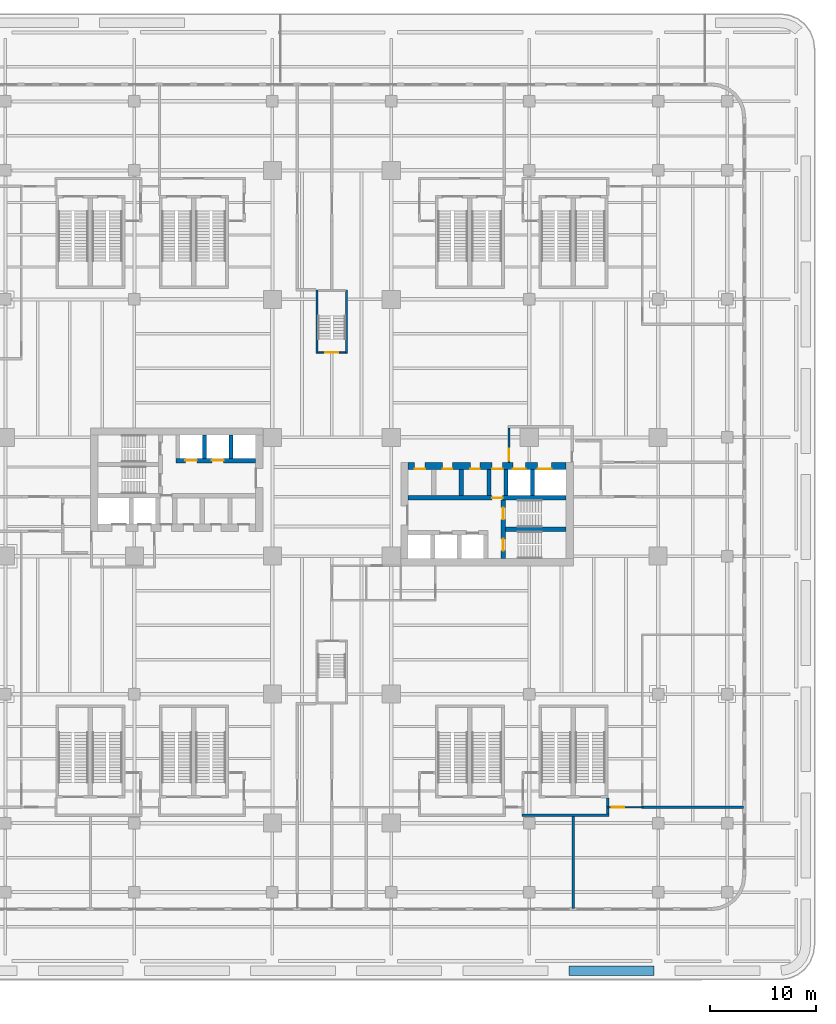
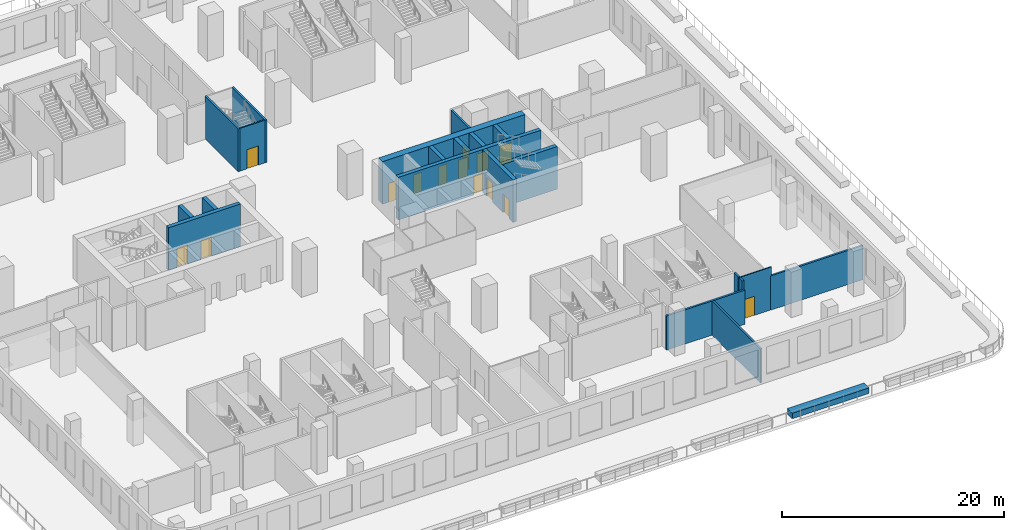
# One storey, part 10 of 18: 22 walls, 14 doors, 14 openings.
"""IFC4 building model written with IfcOpenShell, lengths in metres."""

from ifc_helpers import new_model, si_unit, direction, frame, frame_2d, origin, place, context, subcontext, project, spatial, polyline, rectangle, outline, extrude, source, transform, mapped, material, layer, layer_set, type_object, element, fill, save


model = new_model("IFC4")

# Units and contexts
model_context = context("Model", 3, precision=1e-05, world=origin(), true_north=direction((0.0, 1.0)))
body_context = subcontext(model_context, "Body", "Model", "MODEL_VIEW")
ifc_project = project(units=[si_unit("LENGTHUNIT", "METRE"), si_unit("AREAUNIT", "SQUARE_METRE"), si_unit("VOLUMEUNIT", "CUBIC_METRE"), si_unit("PLANEANGLEUNIT", "RADIAN"), si_unit("MASSUNIT", "GRAM", prefix="KILO")], contexts=[model_context])

# Site, building, storey
site_placement = place(None, origin())
site = spatial("IfcSite", under=ifc_project, at=site_placement, CompositionType="ELEMENT")
building_placement = place(site_placement, origin())
building = spatial("IfcBuilding", under=site, at=building_placement, Name="Trellis Farm Tower", CompositionType="ELEMENT")
storey_placement = place(building_placement, frame((0.0, 0.0, 14.0)))
storey = spatial("IfcBuildingStorey", under=building, at=storey_placement, Name="L02", CompositionType="ELEMENT", Elevation=14.0)

# Walls
ifc_material_1 = material(Name="Sandstone faced masonry planter", Category="masonry")
ifc_layer_1 = layer(ifc_material_1, 0.89990234375)
ifc_layer_set_1 = layer_set([ifc_layer_1], Name="TERRACE PLANTER BED 900")
wall_type_1 = type_object("IfcWallType", Name="TERRACE PLANTER BED 900", PredefinedType="USERDEFINED", material=ifc_layer_set_1)
wall_1_placement = place(storey_placement, origin())
element("IfcWall", 1, at=wall_1_placement, inside=storey, type_object=wall_type_1, Name="PLANTER bed", ObjectType="PLANTER", PredefinedType="USERDEFINED", context=body_context, shape_type="SweptSolid", body=[
    extrude(outline(polyline([(22.347412109375, -44.199951171875), (30.347412109375, -44.199951171875), (30.347412109375, -45.10009765625), (22.347412109375, -45.10009765625), (22.347412109375, -44.199951171875)])), origin(), (0.0, 0.0, 1.0), 0.60009765625),
])
ifc_material_2 = material(Name="Concrete C80/95", Category="concrete")
ifc_layer_2 = layer(ifc_material_2, 0.39990234375)
ifc_layer_set_2 = layer_set([ifc_layer_2], Name="CORE INNER WALL 400 CONCRETE C80/95")
wall_type_2 = type_object("IfcWallType", Name="CORE INNER WALL 400 CONCRETE C80/95", PredefinedType="SHEAR", material=ifc_layer_set_2)
shared_shape_1 = source(origin(), body_context, "Body", "SweptSolid", [
    extrude(rectangle(XDim=2.199951171875, YDim=0.39990234375, at=frame_2d((1.10009765625, 0.0))), origin(), (0.0, 0.0, 1.0), 4.699951171875),
])
for number, where, z_axis, x_axis, name in (
    (2, (-9.5, 5.800048828125, 0.0), (0.0, 0.0, 1.0), (0.0, -1.0, 0.0), "Core wall"),
    (3, (-12.0, 5.800048828125, 0.0), (0.0, 0.0, 1.0), (0.0, -1.0, 0.0), "Core wall"),
):
    element("IfcWall", number, at=place(storey_placement, frame(where, z_axis=z_axis, x_axis=x_axis)), inside=storey, type_object=wall_type_2, Name=name, PredefinedType="SHEAR", context=body_context, shape_type="MappedRepresentation", body=[
        mapped(shared_shape_1, transform((0.0, 0.0, 0.0))),
    ])
shared_shape_2 = source(origin(), body_context, "Body", "SweptSolid", [
    extrude(rectangle(XDim=2.449951171875, YDim=0.39990234375, at=frame_2d((1.22509765625, 0.0))), origin(), (0.0, 0.0, 1.0), 4.699951171875),
])
for number, where, z_axis, x_axis, name in (
    (4, (12.199951171875, 0.10009765625, 0.0), (0.0, 0.0, 1.0), (0.0, 1.0, 0.0), "Core wall"),
    (5, (14.800048828125, 0.10009765625, 0.0), (0.0, 0.0, 1.0), (0.0, 1.0, 0.0), "Core wall"),
    (6, (16.39990234375, 0.10009765625, 0.0), (0.0, 0.0, 1.0), (0.0, 1.0, 0.0), "Core wall"),
    (7, (18.89990234375, 0.10009765625, 0.0), (0.0, 0.0, 1.0), (0.0, 1.0, 0.0), "Core wall"),
):
    element("IfcWall", number, at=place(storey_placement, frame(where, z_axis=z_axis, x_axis=x_axis)), inside=storey, type_object=wall_type_2, Name=name, PredefinedType="SHEAR", context=body_context, shape_type="MappedRepresentation", body=[
        mapped(shared_shape_2, transform((0.0, 0.0, 0.0))),
    ])

# Wall, opening, door
ifc_material_3 = material(Name="Masonry blockwork", Category="masonry")
ifc_layer_3 = layer(ifc_material_3, 0.199951171875)
ifc_layer_set_3 = layer_set([ifc_layer_3], Name="FIRE LOBBY PARTITION 200 BLOCKWORK")
wall_type_3 = type_object("IfcWallType", Name="FIRE LOBBY PARTITION 200 BLOCKWORK", PredefinedType="PARTITIONING", material=ifc_layer_set_3)
shared_shape_3 = source(origin(), body_context, "Body", "SweptSolid", [
    extrude(rectangle(XDim=3.25, YDim=0.199951171875, at=frame_2d((1.625, 0.0))), origin(), (0.0, 0.0, 1.0), 4.699951171875),
])
wall_2_placement = place(storey_placement, frame((16.699951171875, 3.25, 0.0), z_axis=(0.0, 0.0, 1.0), x_axis=(0.0, 1.0, 0.0)))
wall_2 = element("IfcWall", 8, at=wall_2_placement, inside=storey, type_object=wall_type_3, Name="Fire-fighting lobby partition", PredefinedType="PARTITIONING", context=body_context, shape_type="MappedRepresentation", body=[
    mapped(shared_shape_3, transform((0.0, 0.0, 0.0))),
])
shared_shape_4 = source(origin(), body_context, "Body", "SweptSolid", [
    extrude(rectangle(XDim=1.10009765625, YDim=2.10009765625, at=frame_2d((0.550048828125, 1.050048828125))), frame((0.0, 0.110107421875, 0.0), z_axis=(0.0, -1.0, 0.0), x_axis=(1.0, 0.0, 0.0)), (0.0, 0.0, 1.0), 0.22021484375),
])
opening_1_placement = place(wall_2_placement, frame((0.14990234375, 0.0, 0.0)))
opening_1 = element("IfcOpeningElement", 9, at=opening_1_placement, cuts=wall_2, Name="Opening DC7", PredefinedType="OPENING", context=body_context, shape_type="MappedRepresentation", body=[
    mapped(shared_shape_4, transform((0.0, 0.0, 0.0))),
])
ifc_material_4 = material(Name="Steel", Category="steel")
door_type_1 = type_object("IfcDoorType", Name="CORE FIRE DOOR 1100 X 2100", OperationType="NOTDEFINED", PredefinedType="DOOR", material=ifc_material_4)
shared_shape_5 = source(origin(), body_context, "Body", "SweptSolid", [
    extrude(rectangle(XDim=1.10009765625, YDim=2.10009765625, at=frame_2d((0.550048828125, 1.050048828125))), frame((0.0, 0.02490234375, 0.0), z_axis=(0.0, -1.0, 0.0), x_axis=(1.0, 0.0, 0.0)), (0.0, 0.0, 1.0), 0.050048828125),
])
door_1_placement = place(opening_1_placement, origin())
door_1 = element("IfcDoor", 10, at=door_1_placement, inside=storey, type_object=door_type_1, Name="Core door", OperationType="SINGLE_SWING_RIGHT", OverallHeight=2.10009765625, OverallWidth=1.10009765625, PredefinedType="DOOR", context=body_context, shape_type="MappedRepresentation", body=[
    mapped(shared_shape_5, transform((0.0, 0.0, 0.0))),
])
fill(opening_1, door_1)

# Wall, openings, doors
ifc_layer_4 = layer(ifc_material_2, 0.699951171875)
ifc_layer_set_4 = layer_set([ifc_layer_4], Name="CORE OUTER WALL 700 CONCRETE C80/95")
wall_type_4 = type_object("IfcWallType", Name="CORE OUTER WALL 700 CONCRETE C80/95", PredefinedType="SHEAR", material=ifc_layer_set_4)
shared_shape_6 = source(origin(), body_context, "Body", "SweptSolid", [
    extrude(rectangle(XDim=14.85009765625, YDim=0.699951171875, at=frame_2d((7.425048828125, 0.0))), origin(), (0.0, 0.0, 1.0), 4.699951171875),
])
wall_3_placement = place(storey_placement, frame((7.199951171875, 2.89990234375, 0.0), z_axis=(0.0, 0.0, 1.0), x_axis=(1.0, 0.0, 0.0)))
wall_3 = element("IfcWall", 11, at=wall_3_placement, inside=storey, type_object=wall_type_4, Name="Core wall", PredefinedType="SHEAR", context=body_context, shape_type="MappedRepresentation", body=[
    mapped(shared_shape_6, transform((0.0, 0.0, 0.0))),
])
shared_shape_7 = source(origin(), body_context, "Body", "SweptSolid", [
    extrude(rectangle(XDim=1.300048828125, YDim=2.10009765625, at=frame_2d((0.64990234375, 1.050048828125))), frame((0.0, 0.360107421875, 0.0), z_axis=(0.0, -1.0, 0.0), x_axis=(1.0, 0.0, 0.0)), (0.0, 0.0, 1.0), 0.72021484375),
])
opening_2_placement = place(wall_3_placement, frame((12.199951171875, 0.0, 0.0)))
opening_2 = element("IfcOpeningElement", 12, at=opening_2_placement, cuts=wall_3, Name="Opening LD7", PredefinedType="OPENING", context=body_context, shape_type="MappedRepresentation", body=[
    mapped(shared_shape_7, transform((0.0, 0.0, 0.0))),
])
shared_shape_8 = source(origin(), body_context, "Body", "SweptSolid", [
    extrude(rectangle(XDim=1.199951171875, YDim=2.10009765625, at=frame_2d((0.60009765625, 1.050048828125))), frame((0.0, 0.360107421875, 0.0), z_axis=(0.0, -1.0, 0.0), x_axis=(1.0, 0.0, 0.0)), (0.0, 0.0, 1.0), 0.72021484375),
])
opening_3_placement = place(wall_3_placement, frame((9.85009765625, 0.0, 0.0)))
opening_3 = element("IfcOpeningElement", 13, at=opening_3_placement, cuts=wall_3, Name="Opening LD8", PredefinedType="OPENING", context=body_context, shape_type="MappedRepresentation", body=[
    mapped(shared_shape_8, transform((0.0, 0.0, 0.0))),
])
shared_shape_9 = source(origin(), body_context, "Body", "SweptSolid", [
    extrude(rectangle(XDim=1.0, YDim=2.10009765625, at=frame_2d((0.5, 1.050048828125))), frame((0.0, 0.360107421875, 0.0), z_axis=(0.0, -1.0, 0.0), x_axis=(1.0, 0.0, 0.0)), (0.0, 0.0, 1.0), 0.72021484375),
])
opening_4_placement = place(wall_3_placement, frame((7.89990234375, 0.0, 0.0)))
opening_4 = element("IfcOpeningElement", 14, at=opening_4_placement, cuts=wall_3, Name="Opening DC6", PredefinedType="OPENING", context=body_context, shape_type="MappedRepresentation", body=[
    mapped(shared_shape_9, transform((0.0, 0.0, 0.0))),
])
opening_5_placement = place(wall_3_placement, frame((0.60009765625, 0.0, 0.0)))
opening_5 = element("IfcOpeningElement", 15, at=opening_5_placement, cuts=wall_3, Name="Opening DC13", PredefinedType="OPENING", context=body_context, shape_type="MappedRepresentation", body=[
    mapped(shared_shape_9, transform((0.0, 0.0, 0.0))),
])
shared_shape_10 = source(origin(), body_context, "Body", "SweptSolid", [
    extrude(rectangle(XDim=0.89990234375, YDim=2.10009765625, at=frame_2d((0.449951171875, 1.050048828125))), frame((0.0, 0.360107421875, 0.0), z_axis=(0.0, -1.0, 0.0), x_axis=(1.0, 0.0, 0.0)), (0.0, 0.0, 1.0), 0.72021484375),
])
opening_6_placement = place(wall_3_placement, frame((3.25, 0.0, 0.0)))
opening_6 = element("IfcOpeningElement", 16, at=opening_6_placement, cuts=wall_3, Name="Opening DC24", PredefinedType="OPENING", context=body_context, shape_type="MappedRepresentation", body=[
    mapped(shared_shape_10, transform((0.0, 0.0, 0.0))),
])
opening_7_placement = place(wall_3_placement, frame((5.85009765625, 0.0, 0.0)))
opening_7 = element("IfcOpeningElement", 17, at=opening_7_placement, cuts=wall_3, Name="Opening DC35", PredefinedType="OPENING", context=body_context, shape_type="MappedRepresentation", body=[
    mapped(shared_shape_10, transform((0.0, 0.0, 0.0))),
])
door_type_2 = type_object("IfcDoorType", Name="CORE FIRE DOOR 1000 X 2100", OperationType="NOTDEFINED", PredefinedType="DOOR", material=ifc_material_4)
shared_shape_11 = source(origin(), body_context, "Body", "SweptSolid", [
    extrude(rectangle(XDim=1.0, YDim=2.10009765625, at=frame_2d((0.5, 1.050048828125))), frame((0.0, -0.27490234375, 0.0), z_axis=(0.0, -1.0, 0.0), x_axis=(1.0, 0.0, 0.0)), (0.0, 0.0, 1.0), 0.050048828125),
])
door_2_placement = place(opening_4_placement, origin())
door_2 = element("IfcDoor", 18, at=door_2_placement, inside=storey, type_object=door_type_2, Name="Core door", OperationType="SINGLE_SWING_LEFT", OverallHeight=2.10009765625, OverallWidth=1.0, PredefinedType="DOOR", context=body_context, shape_type="MappedRepresentation", body=[
    mapped(shared_shape_11, transform((0.0, 0.0, 0.0))),
])
fill(opening_4, door_2)
door_3_placement = place(opening_5_placement, origin())
door_3 = element("IfcDoor", 19, at=door_3_placement, inside=storey, type_object=door_type_2, Name="Core door", OperationType="SINGLE_SWING_LEFT", OverallHeight=2.10009765625, OverallWidth=1.0, PredefinedType="DOOR", context=body_context, shape_type="MappedRepresentation", body=[
    mapped(shared_shape_11, transform((0.0, 0.0, 0.0))),
])
fill(opening_5, door_3)
door_type_3 = type_object("IfcDoorType", Name="CORE FIRE DOOR 900 X 2100", OperationType="NOTDEFINED", PredefinedType="DOOR", material=ifc_material_4)
shared_shape_12 = source(origin(), body_context, "Body", "SweptSolid", [
    extrude(rectangle(XDim=0.89990234375, YDim=2.10009765625, at=frame_2d((0.449951171875, 1.050048828125))), frame((0.0, -0.27490234375, 0.0), z_axis=(0.0, -1.0, 0.0), x_axis=(1.0, 0.0, 0.0)), (0.0, 0.0, 1.0), 0.050048828125),
])
door_4_placement = place(opening_6_placement, origin())
door_4 = element("IfcDoor", 20, at=door_4_placement, inside=storey, type_object=door_type_3, Name="Core door", OperationType="SINGLE_SWING_RIGHT", OverallHeight=2.10009765625, OverallWidth=0.89990234375, PredefinedType="DOOR", context=body_context, shape_type="MappedRepresentation", body=[
    mapped(shared_shape_12, transform((0.0, 0.0, 0.0))),
])
fill(opening_6, door_4)
door_5_placement = place(opening_7_placement, origin())
door_5 = element("IfcDoor", 21, at=door_5_placement, inside=storey, type_object=door_type_3, Name="Core door", OperationType="SINGLE_SWING_LEFT", OverallHeight=2.10009765625, OverallWidth=0.89990234375, PredefinedType="DOOR", context=body_context, shape_type="MappedRepresentation", body=[
    mapped(shared_shape_12, transform((0.0, 0.0, 0.0))),
])
fill(opening_7, door_5)
ifc_material_5 = material(Name="Stainless steel", Category="steel")
door_type_4 = type_object("IfcDoorType", Name="LIFT LANDING DOOR 1300 X 2100", OperationType="DOUBLE_DOOR_SLIDING", PredefinedType="DOOR", material=ifc_material_5)
shared_shape_13 = source(origin(), body_context, "Body", "SweptSolid", [
    extrude(rectangle(XDim=1.300048828125, YDim=2.10009765625, at=frame_2d((0.64990234375, 1.050048828125))), frame((0.0, -0.27490234375, 0.0), z_axis=(0.0, -1.0, 0.0), x_axis=(1.0, 0.0, 0.0)), (0.0, 0.0, 1.0), 0.050048828125),
])
door_6_placement = place(opening_2_placement, origin())
door_6 = element("IfcDoor", 22, at=door_6_placement, inside=storey, type_object=door_type_4, Name="Lift landing door", OperationType="DOUBLE_DOOR_SLIDING", OverallHeight=2.10009765625, OverallWidth=1.300048828125, PredefinedType="DOOR", context=body_context, shape_type="MappedRepresentation", body=[
    mapped(shared_shape_13, transform((0.0, 0.0, 0.0))),
])
fill(opening_2, door_6)
door_type_5 = type_object("IfcDoorType", Name="LIFT LANDING DOOR 1200 X 2100", OperationType="DOUBLE_DOOR_SLIDING", PredefinedType="DOOR", material=ifc_material_5)
shared_shape_14 = source(origin(), body_context, "Body", "SweptSolid", [
    extrude(rectangle(XDim=1.199951171875, YDim=2.10009765625, at=frame_2d((0.60009765625, 1.050048828125))), frame((0.0, -0.27490234375, 0.0), z_axis=(0.0, -1.0, 0.0), x_axis=(1.0, 0.0, 0.0)), (0.0, 0.0, 1.0), 0.050048828125),
])
door_7_placement = place(opening_3_placement, origin())
door_7 = element("IfcDoor", 23, at=door_7_placement, inside=storey, type_object=door_type_5, Name="Lift landing door", OperationType="DOUBLE_DOOR_SLIDING", OverallHeight=2.10009765625, OverallWidth=1.199951171875, PredefinedType="DOOR", context=body_context, shape_type="MappedRepresentation", body=[
    mapped(shared_shape_14, transform((0.0, 0.0, 0.0))),
])
fill(opening_3, door_7)

shared_shape_15 = source(origin(), body_context, "Body", "SweptSolid", [
    extrude(rectangle(XDim=7.5, YDim=0.39990234375, at=frame_2d((3.75, 0.0))), origin(), (0.0, 0.0, 1.0), 4.699951171875),
])
wall_4_placement = place(storey_placement, frame((-7.199951171875, 3.39990234375, 0.0), z_axis=(0.0, 0.0, 1.0), x_axis=(-1.0, 0.0, 0.0)))
wall_4 = element("IfcWall", 24, at=wall_4_placement, inside=storey, type_object=wall_type_2, Name="Core wall", PredefinedType="SHEAR", context=body_context, shape_type="MappedRepresentation", body=[
    mapped(shared_shape_15, transform((0.0, 0.0, 0.0))),
])
shared_shape_16 = source(origin(), body_context, "Body", "SweptSolid", [
    extrude(rectangle(XDim=1.10009765625, YDim=2.10009765625, at=frame_2d((0.550048828125, 1.050048828125))), frame((0.0, 0.2099609375, 0.0), z_axis=(0.0, -1.0, 0.0), x_axis=(1.0, 0.0, 0.0)), (0.0, 0.0, 1.0), 0.419921875),
])
opening_8_placement = place(wall_4_placement, frame((3.0, 0.0, 0.0)))
opening_8 = element("IfcOpeningElement", 25, at=opening_8_placement, cuts=wall_4, Name="Opening LD10", PredefinedType="OPENING", context=body_context, shape_type="MappedRepresentation", body=[
    mapped(shared_shape_16, transform((0.0, 0.0, 0.0))),
])
opening_9_placement = place(wall_4_placement, frame((5.5, 0.0, 0.0)))
opening_9 = element("IfcOpeningElement", 26, at=opening_9_placement, cuts=wall_4, Name="Opening LD11", PredefinedType="OPENING", context=body_context, shape_type="MappedRepresentation", body=[
    mapped(shared_shape_16, transform((0.0, 0.0, 0.0))),
])
door_type_6 = type_object("IfcDoorType", Name="LIFT LANDING DOOR 1100 X 2100", OperationType="DOUBLE_DOOR_SLIDING", PredefinedType="DOOR", material=ifc_material_5)
door_8_placement = place(opening_8_placement, origin())
door_8 = element("IfcDoor", 27, at=door_8_placement, inside=storey, type_object=door_type_6, Name="Lift landing door", OperationType="DOUBLE_DOOR_SLIDING", OverallHeight=2.10009765625, OverallWidth=1.10009765625, PredefinedType="DOOR", context=body_context, shape_type="MappedRepresentation", body=[
    mapped(shared_shape_5, transform((0.0, 0.0, 0.0))),
])
fill(opening_8, door_8)
door_9_placement = place(opening_9_placement, origin())
door_9 = element("IfcDoor", 28, at=door_9_placement, inside=storey, type_object=door_type_6, Name="Lift landing door", OperationType="DOUBLE_DOOR_SLIDING", OverallHeight=2.10009765625, OverallWidth=1.10009765625, PredefinedType="DOOR", context=body_context, shape_type="MappedRepresentation", body=[
    mapped(shared_shape_5, transform((0.0, 0.0, 0.0))),
])
fill(opening_9, door_9)

# Wall, opening, door
shared_shape_17 = source(origin(), body_context, "Body", "SweptSolid", [
    extrude(rectangle(XDim=14.85009765625, YDim=0.39990234375, at=frame_2d((7.425048828125, 0.0))), origin(), (0.0, 0.0, 1.0), 4.699951171875),
])
wall_5_placement = place(storey_placement, frame((7.199951171875, -0.10009765625, 0.0), z_axis=(0.0, 0.0, 1.0), x_axis=(1.0, 0.0, 0.0)))
wall_5 = element("IfcWall", 29, at=wall_5_placement, inside=storey, type_object=wall_type_2, Name="Core wall", PredefinedType="SHEAR", context=body_context, shape_type="MappedRepresentation", body=[
    mapped(shared_shape_17, transform((0.0, 0.0, 0.0))),
])
shared_shape_18 = source(origin(), body_context, "Body", "SweptSolid", [
    extrude(rectangle(XDim=1.0, YDim=2.10009765625, at=frame_2d((0.5, 1.050048828125))), frame((0.0, 0.2099609375, 0.0), z_axis=(0.0, -1.0, 0.0), x_axis=(1.0, 0.0, 0.0)), (0.0, 0.0, 1.0), 0.419921875),
])
opening_10_placement = place(wall_5_placement, frame((7.89990234375, 0.0, 0.0)))
opening_10 = element("IfcOpeningElement", 30, at=opening_10_placement, cuts=wall_5, Name="Opening DC5", PredefinedType="OPENING", context=body_context, shape_type="MappedRepresentation", body=[
    mapped(shared_shape_18, transform((0.0, 0.0, 0.0))),
])
shared_shape_19 = source(origin(), body_context, "Body", "SweptSolid", [
    extrude(rectangle(XDim=1.0, YDim=2.10009765625, at=frame_2d((0.5, 1.050048828125))), frame((0.0, 0.02490234375, 0.0), z_axis=(0.0, -1.0, 0.0), x_axis=(1.0, 0.0, 0.0)), (0.0, 0.0, 1.0), 0.050048828125),
])
door_10_placement = place(opening_10_placement, origin())
door_10 = element("IfcDoor", 31, at=door_10_placement, inside=storey, type_object=door_type_2, Name="Core door", OperationType="SINGLE_SWING_RIGHT", OverallHeight=2.10009765625, OverallWidth=1.0, PredefinedType="DOOR", context=body_context, shape_type="MappedRepresentation", body=[
    mapped(shared_shape_19, transform((0.0, 0.0, 0.0))),
])
fill(opening_10, door_10)

# Wall, openings, doors
shared_shape_20 = source(origin(), body_context, "Body", "SweptSolid", [
    extrude(rectangle(XDim=5.5, YDim=0.39990234375, at=frame_2d((2.75, 0.0))), origin(), (0.0, 0.0, 1.0), 4.699951171875),
])
wall_6_placement = place(storey_placement, frame((16.14990234375, -5.800048828125, 0.0), z_axis=(0.0, 0.0, 1.0), x_axis=(0.0, 1.0, 0.0)))
wall_6 = element("IfcWall", 32, at=wall_6_placement, inside=storey, type_object=wall_type_2, Name="Core wall", PredefinedType="SHEAR", context=body_context, shape_type="MappedRepresentation", body=[
    mapped(shared_shape_20, transform((0.0, 0.0, 0.0))),
])
opening_11_placement = place(wall_6_placement, frame((0.72509765625, 0.0, 0.0)))
opening_11 = element("IfcOpeningElement", 33, at=opening_11_placement, cuts=wall_6, Name="Opening DC2", PredefinedType="OPENING", context=body_context, shape_type="MappedRepresentation", body=[
    mapped(shared_shape_16, transform((0.0, 0.0, 0.0))),
])
opening_12_placement = place(wall_6_placement, frame((3.675048828125, 0.0, 0.0)))
opening_12 = element("IfcOpeningElement", 34, at=opening_12_placement, cuts=wall_6, Name="Opening DC3", PredefinedType="OPENING", context=body_context, shape_type="MappedRepresentation", body=[
    mapped(shared_shape_16, transform((0.0, 0.0, 0.0))),
])
door_11_placement = place(opening_11_placement, origin())
door_11 = element("IfcDoor", 35, at=door_11_placement, inside=storey, type_object=door_type_1, Name="Core door", OperationType="SINGLE_SWING_RIGHT", OverallHeight=2.10009765625, OverallWidth=1.10009765625, PredefinedType="DOOR", context=body_context, shape_type="MappedRepresentation", body=[
    mapped(shared_shape_5, transform((0.0, 0.0, 0.0))),
])
fill(opening_11, door_11)
door_12_placement = place(opening_12_placement, origin())
door_12 = element("IfcDoor", 36, at=door_12_placement, inside=storey, type_object=door_type_1, Name="Core door", OperationType="SINGLE_SWING_LEFT", OverallHeight=2.10009765625, OverallWidth=1.10009765625, PredefinedType="DOOR", context=body_context, shape_type="MappedRepresentation", body=[
    mapped(shared_shape_5, transform((0.0, 0.0, 0.0))),
])
fill(opening_12, door_12)

# Walls
shared_shape_21 = source(origin(), body_context, "Body", "SweptSolid", [
    extrude(rectangle(XDim=5.699951171875, YDim=0.39990234375, at=frame_2d((2.85009765625, 0.0))), origin(), (0.0, 0.0, 1.0), 4.699951171875),
])
wall_7_placement = place(storey_placement, frame((16.35009765625, -3.050048828125, 0.0), z_axis=(0.0, 0.0, 1.0), x_axis=(1.0, 0.0, 0.0)))
element("IfcWall", 37, at=wall_7_placement, inside=storey, type_object=wall_type_2, Name="Core wall", PredefinedType="SHEAR", context=body_context, shape_type="MappedRepresentation", body=[
    mapped(shared_shape_21, transform((0.0, 0.0, 0.0))),
])
ifc_layer_5 = layer(ifc_material_2, 0.199951171875)
ifc_layer_set_5 = layer_set([ifc_layer_5], Name="CORE STAIR ENCLOSURE WALL 200 CONCRETE C80/95")
wall_type_5 = type_object("IfcWallType", Name="CORE STAIR ENCLOSURE WALL 200 CONCRETE C80/95", PredefinedType="SHEAR", material=ifc_layer_set_5)
shared_shape_22 = source(origin(), body_context, "Body", "SweptSolid", [
    extrude(rectangle(XDim=6.0, YDim=0.199951171875, at=frame_2d((3.0, 0.0))), origin(), (0.0, 0.0, 1.0), 4.699951171875),
])
for number, where, z_axis, x_axis, name in (
    (38, (-1.39990234375, 13.5, 0.0), (0.0, 0.0, 1.0), (0.0, 1.0, 0.0), "Stair enclosure wall"),
    (39, (1.39990234375, 13.5, 0.0), (0.0, 0.0, 1.0), (0.0, 1.0, 0.0), "Stair enclosure wall"),
):
    element("IfcWall", number, at=place(storey_placement, frame(where, z_axis=z_axis, x_axis=x_axis)), inside=storey, type_object=wall_type_5, Name=name, PredefinedType="SHEAR", context=body_context, shape_type="MappedRepresentation", body=[
        mapped(shared_shape_22, transform((0.0, 0.0, 0.0))),
    ])

# Wall, opening, door
ifc_layer_6 = layer(ifc_material_2, 0.14990234375)
ifc_layer_set_6 = layer_set([ifc_layer_6], Name="CORE STAIR ENCLOSURE WALL 150 CONCRETE C80/95")
wall_type_6 = type_object("IfcWallType", Name="CORE STAIR ENCLOSURE WALL 150 CONCRETE C80/95", PredefinedType="SHEAR", material=ifc_layer_set_6)
shared_shape_23 = source(origin(), body_context, "Body", "SweptSolid", [
    extrude(rectangle(XDim=2.60009765625, YDim=0.14990234375, at=frame_2d((1.300048828125, 0.0))), origin(), (0.0, 0.0, 1.0), 4.699951171875),
])
wall_8_placement = place(storey_placement, frame((-1.300048828125, 13.574951171875, 0.0), z_axis=(0.0, 0.0, 1.0), x_axis=(1.0, 0.0, 0.0)))
wall_8 = element("IfcWall", 40, at=wall_8_placement, inside=storey, type_object=wall_type_6, Name="Stair enclosure wall", PredefinedType="SHEAR", context=body_context, shape_type="MappedRepresentation", body=[
    mapped(shared_shape_23, transform((0.0, 0.0, 0.0))),
])
shared_shape_24 = source(origin(), body_context, "Body", "SweptSolid", [
    extrude(rectangle(XDim=1.199951171875, YDim=2.10009765625, at=frame_2d((0.60009765625, 1.050048828125))), frame((0.0, 0.0849609375, 0.0), z_axis=(0.0, -1.0, 0.0), x_axis=(1.0, 0.0, 0.0)), (0.0, 0.0, 1.0), 0.169921875),
])
opening_13_placement = place(wall_8_placement, frame((0.699951171875, 0.0, 0.0)))
opening_13 = element("IfcOpeningElement", 41, at=opening_13_placement, cuts=wall_8, Name="Opening DC173", PredefinedType="OPENING", context=body_context, shape_type="MappedRepresentation", body=[
    mapped(shared_shape_24, transform((0.0, 0.0, 0.0))),
])
door_type_7 = type_object("IfcDoorType", Name="CORE FIRE DOOR 1200 X 2100", OperationType="NOTDEFINED", PredefinedType="DOOR", material=ifc_material_4)
shared_shape_25 = source(origin(), body_context, "Body", "SweptSolid", [
    extrude(rectangle(XDim=1.199951171875, YDim=2.10009765625, at=frame_2d((0.60009765625, 1.050048828125))), frame((0.0, 0.02490234375, 0.0), z_axis=(0.0, -1.0, 0.0), x_axis=(1.0, 0.0, 0.0)), (0.0, 0.0, 1.0), 0.050048828125),
])
door_13_placement = place(opening_13_placement, origin())
door_13 = element("IfcDoor", 42, at=door_13_placement, inside=storey, type_object=door_type_7, Name="Core door", OperationType="SINGLE_SWING_LEFT", OverallHeight=2.10009765625, OverallWidth=1.199951171875, PredefinedType="DOOR", context=body_context, shape_type="MappedRepresentation", body=[
    mapped(shared_shape_25, transform((0.0, 0.0, 0.0))),
])
fill(opening_13, door_13)

# Walls
ifc_material_6 = material(Name="Lightweight blockwork, plastered", Category="masonry")
ifc_layer_7 = layer(ifc_material_6, 0.199951171875)
ifc_layer_set_7 = layer_set([ifc_layer_7], Name="BLOCK WALL 200 EI 120")
wall_type_7 = type_object("IfcWallType", Name="BLOCK WALL 200 EI 120", PredefinedType="PARTITIONING", material=ifc_layer_set_7)
shared_shape_26 = source(origin(), body_context, "Body", "SweptSolid", [
    extrude(rectangle(XDim=0.78759765625, YDim=0.199951171875, at=frame_2d((0.393798828125, 0.0))), origin(), (0.0, 0.0, 1.0), 4.699951171875),
])
wall_9_placement = place(storey_placement, frame((26.0, -29.1875, 0.0), z_axis=(0.0, 0.0, 1.0), x_axis=(0.0, 1.0, 0.0)))
element("IfcWall", 43, at=wall_9_placement, inside=storey, type_object=wall_type_7, Name="Partition PW3", PredefinedType="PARTITIONING", context=body_context, shape_type="MappedRepresentation", body=[
    mapped(shared_shape_26, transform((0.0, 0.0, 0.0))),
])
shared_shape_27 = source(origin(), body_context, "Body", "SweptSolid", [
    extrude(rectangle(XDim=0.58740234375, YDim=0.199951171875, at=frame_2d((0.293701171875, 0.0))), origin(), (0.0, 0.0, 1.0), 4.699951171875),
])
wall_10_placement = place(storey_placement, frame((26.0, -29.3125, 0.0), z_axis=(0.0, 0.0, 1.0), x_axis=(0.0, -1.0, 0.0)))
element("IfcWall", 44, at=wall_10_placement, inside=storey, type_object=wall_type_7, Name="Partition PW3", PredefinedType="PARTITIONING", context=body_context, shape_type="MappedRepresentation", body=[
    mapped(shared_shape_27, transform((0.0, 0.0, 0.0))),
])
shared_shape_28 = source(origin(), body_context, "Body", "SweptSolid", [
    extrude(rectangle(XDim=8.699951171875, YDim=0.199951171875, at=frame_2d((4.35009765625, 0.0))), origin(), (0.0, 0.0, 1.0), 3.76171875),
])
wall_11_placement = place(storey_placement, frame((22.75, -38.800048828125, 0.0), z_axis=(0.0, 0.0, 1.0), x_axis=(0.0, 1.0, 0.0)))
element("IfcWall", 45, at=wall_11_placement, inside=storey, type_object=wall_type_7, Name="Partition PW3", PredefinedType="PARTITIONING", context=body_context, shape_type="MappedRepresentation", body=[
    mapped(shared_shape_28, transform((0.0, 0.0, 0.0))),
])
shared_shape_29 = source(origin(), body_context, "Body", "SweptSolid", [
    extrude(rectangle(XDim=8.2001953125, YDim=0.199951171875, at=frame_2d((4.10009765625, 0.0))), origin(), (0.0, 0.0, 1.0), 3.76171875),
])
wall_12_placement = place(storey_placement, frame((26.10009765625, -30.0, 0.0), z_axis=(0.0, 0.0, 1.0), x_axis=(-1.0, 0.0, 0.0)))
element("IfcWall", 46, at=wall_12_placement, inside=storey, type_object=wall_type_7, Name="Partition PW3", PredefinedType="PARTITIONING", context=body_context, shape_type="MappedRepresentation", body=[
    mapped(shared_shape_29, transform((0.0, 0.0, 0.0))),
])
shared_shape_30 = source(origin(), body_context, "Body", "SweptSolid", [
    extrude(rectangle(XDim=9.612548828125, YDim=0.199951171875, at=frame_2d((4.80615234375, 0.0))), origin(), (0.0, 0.0, 1.0), 3.76171875),
])
wall_13_placement = place(storey_placement, frame((29.1875, -29.25, 0.0), z_axis=(0.0, 0.0, 1.0), x_axis=(1.0, 0.0, 0.0)))
element("IfcWall", 47, at=wall_13_placement, inside=storey, type_object=wall_type_7, Name="Partition PW3", PredefinedType="PARTITIONING", context=body_context, shape_type="MappedRepresentation", body=[
    mapped(shared_shape_30, transform((0.0, 0.0, 0.0))),
])

# Wall, opening, door
ifc_material_7 = material(Name="Plasterboard on steel studs, mineral wool", Category="steel")
ifc_layer_8 = layer(ifc_material_7, 0.125)
ifc_layer_set_8 = layer_set([ifc_layer_8], Name="PARTITION 125 STUD EI 60")
wall_type_8 = type_object("IfcWallType", Name="PARTITION 125 STUD EI 60", PredefinedType="PARTITIONING", material=ifc_layer_set_8)
shared_shape_31 = source(origin(), body_context, "Body", "SweptSolid", [
    extrude(rectangle(XDim=3.41259765625, YDim=0.125, at=frame_2d((1.706298828125, 0.0))), origin(), (0.0, 0.0, 1.0), 4.699951171875),
])
wall_14_placement = place(storey_placement, frame((29.3125, -29.25, 0.0), z_axis=(0.0, 0.0, 1.0), x_axis=(-1.0, 0.0, 0.0)))
wall_14 = element("IfcWall", 48, at=wall_14_placement, inside=storey, type_object=wall_type_8, Name="Partition PW1", PredefinedType="PARTITIONING", context=body_context, shape_type="MappedRepresentation", body=[
    mapped(shared_shape_31, transform((0.0, 0.0, 0.0))),
])
shared_shape_32 = source(origin(), body_context, "Body", "SweptSolid", [
    extrude(rectangle(XDim=1.199951171875, YDim=2.10009765625, at=frame_2d((0.60009765625, 1.050048828125))), frame((0.0, 0.072509765625, 0.0), z_axis=(0.0, -1.0, 0.0), x_axis=(1.0, 0.0, 0.0)), (0.0, 0.0, 1.0), 0.14501953125),
])
opening_14_placement = place(wall_14_placement, frame((1.762451171875, 0.0, 0.0)))
opening_14 = element("IfcOpeningElement", 49, at=opening_14_placement, cuts=wall_14, Name="Opening D603", PredefinedType="OPENING", context=body_context, shape_type="MappedRepresentation", body=[
    mapped(shared_shape_32, transform((0.0, 0.0, 0.0))),
])
ifc_material_8 = material(Name="Fire-rated timber door leaf in a hollow metal frame", Category="wood")
door_type_8 = type_object("IfcDoorType", Name="DOOR 1200x2100 FD30S", OperationType="NOTDEFINED", PredefinedType="DOOR", material=ifc_material_8)
door_14_placement = place(opening_14_placement, origin())
door_14 = element("IfcDoor", 50, at=door_14_placement, inside=storey, type_object=door_type_8, Name="Door D603", OperationType="SINGLE_SWING_RIGHT", OverallHeight=2.10009765625, OverallWidth=1.199951171875, PredefinedType="DOOR", context=body_context, shape_type="MappedRepresentation", body=[
    mapped(shared_shape_25, transform((0.0, 0.0, 0.0))),
])
fill(opening_14, door_14)

save(model, "model.ifc")
